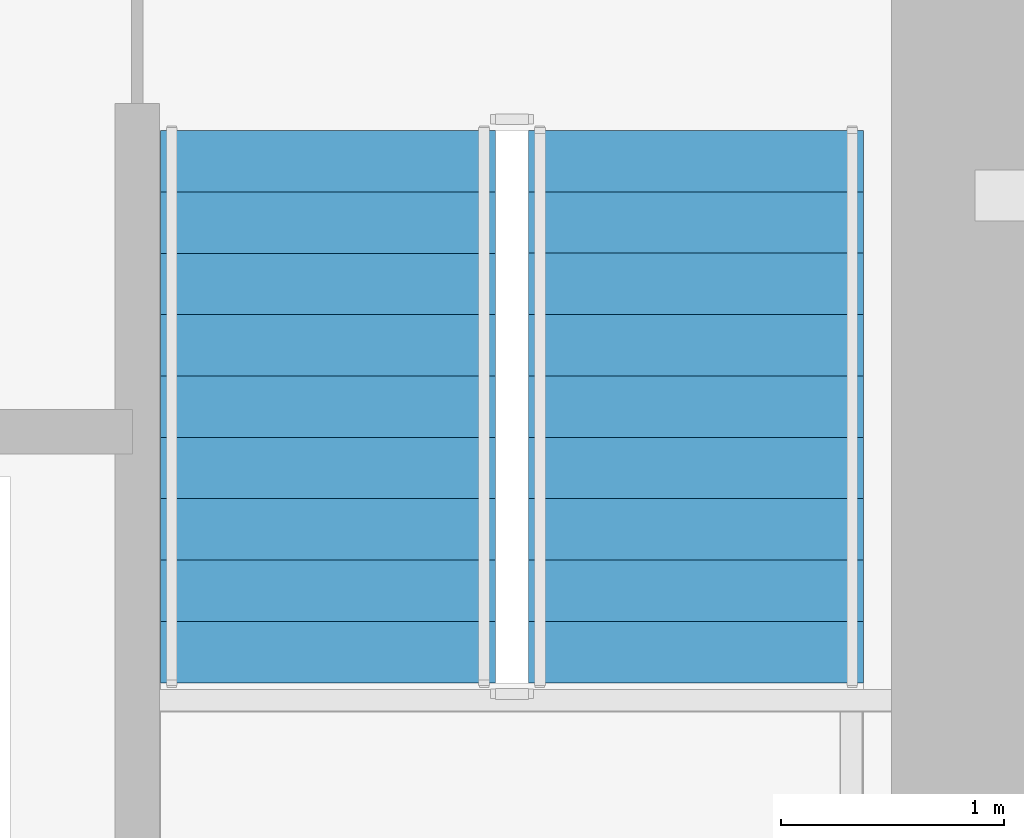
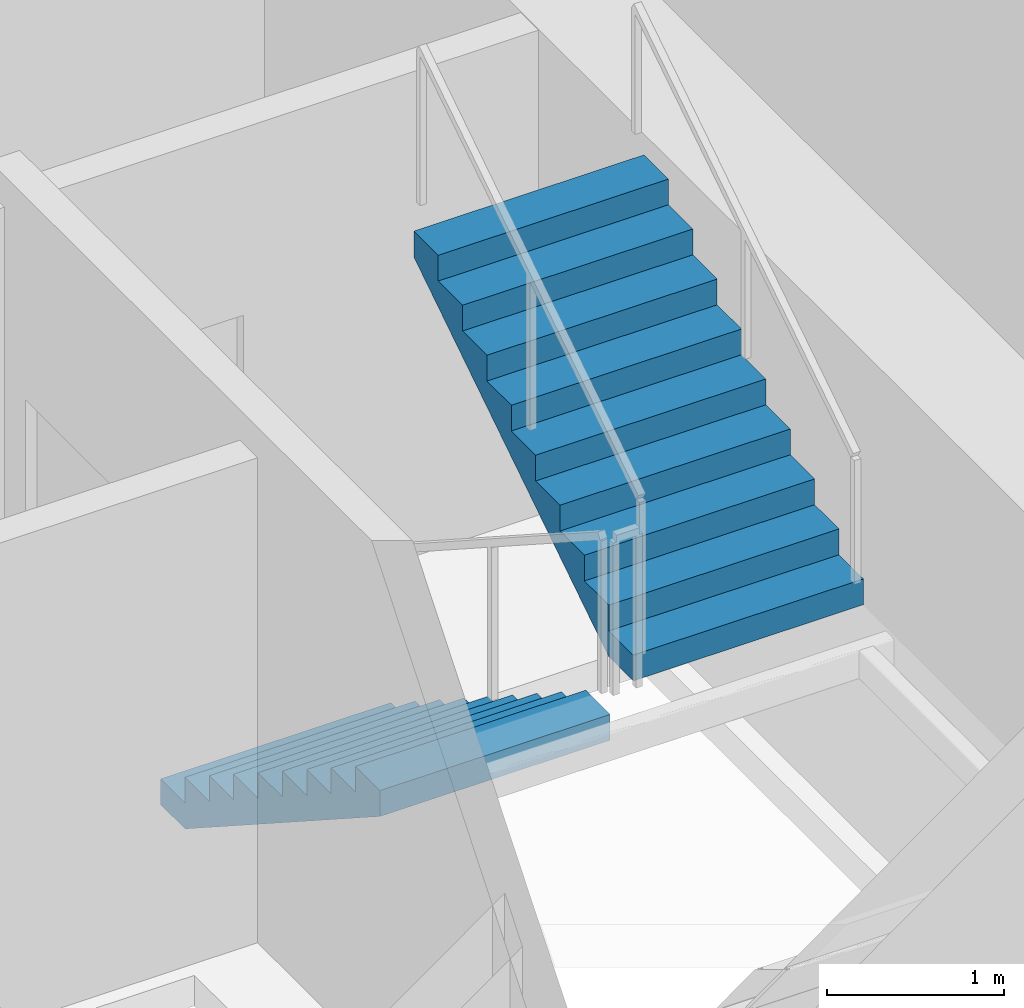
# One storey, part 8 of 10: 2 stair flights, 1 element without a shape of its own.
"""IFC4 building model written with IfcOpenShell, lengths in metres."""

from ifc_helpers import new_model, si_unit, direction, frame, origin, place, context, subcontext, project, spatial, polyline, outline, extrude, material, type_object, element, aggregate, save


model = new_model("IFC4")

# Units and contexts
model_context = context("Model", 3, precision=1e-05, world=origin(), true_north=direction((0.0, 1.0)))
body_context = subcontext(model_context, "Body", "Model", "MODEL_VIEW")
ifc_project = project(units=[si_unit("LENGTHUNIT", "METRE"), si_unit("AREAUNIT", "SQUARE_METRE"), si_unit("VOLUMEUNIT", "CUBIC_METRE"), si_unit("PLANEANGLEUNIT", "RADIAN"), si_unit("MASSUNIT", "GRAM", prefix="KILO")], contexts=[model_context])

# Site, building, storey
site_placement = place(None, origin())
site = spatial("IfcSite", under=ifc_project, at=site_placement, CompositionType="ELEMENT")
building_placement = place(site_placement, origin())
building = spatial("IfcBuilding", under=site, at=building_placement, Name="Cinnabar Lancet Tower", CompositionType="ELEMENT")
storey_placement = place(building_placement, frame((0.0, 0.0, 119.699951171875)))
storey = spatial("IfcBuildingStorey", under=building, at=storey_placement, Name="L31", CompositionType="ELEMENT", Elevation=119.699951171875)

# Stair, stair flights
ifc_material_1 = material(Name="Concrete C40/50", Category="concrete")
stair_type = type_object("IfcStairType", Name="ST-CORE", PredefinedType="HALF_TURN_STAIR", material=ifc_material_1)
stair_placement = place(storey_placement, origin())
stair = element("IfcStair", 1, at=stair_placement, inside=storey, type_object=stair_type, Name="L31 ST-2", PredefinedType="HALF_TURN_STAIR")
ifc_material_2 = material(Name="Concrete C40/50", Category="concrete")
stair_flight_type = type_object("IfcStairFlightType", Name="FLIGHT-CORE", PredefinedType="STRAIGHT", material=ifc_material_2)
stair_flight_1_placement = place(storey_placement, frame((38.875, 28.39990234375, 0.0), z_axis=(0.0, 0.0, 1.0), x_axis=(0.0, -1.0, 0.0)))
stair_flight_1 = element("IfcStairFlight", 2, at=stair_flight_1_placement, type_object=stair_flight_type, Name="ST-2 flight 1", NumberOfRisers=10, NumberOfTreads=9, PredefinedType="STRAIGHT", RiserHeight=0.1775, TreadLength=0.275, context=body_context, shape_type="SweptSolid", body=[
    extrude(outline(polyline([(0.0, 0.0), (0.0, 0.177490234375), (0.27490234375, 0.177490234375), (0.27490234375, 0.35498046875), (0.550048828125, 0.35498046875), (0.550048828125, 0.532470703125), (0.824951171875, 0.532470703125), (0.824951171875, 0.7099609375), (1.10009765625, 0.7099609375), (1.10009765625, 0.887451171875), (1.375, 0.887451171875), (1.375, 1.06494140625), (1.64990234375, 1.06494140625), (1.64990234375, 1.242431640625), (1.925048828125, 1.242431640625), (1.925048828125, 1.419921875), (2.199951171875, 1.419921875), (2.199951171875, 1.597412109375), (2.47509765625, 1.597412109375), (2.47509765625, 1.77490234375), (2.47509765625, 1.419189453125), (0.2763671875, 0.0), (0.0, 0.0)])), frame((0.0, 0.75, 0.0), z_axis=(0.0, -1.0, 0.0), x_axis=(1.0, 0.0, 0.0)), (0.0, 0.0, 1.0), 1.5),
])
stair_flight_2_placement = place(storey_placement, frame((40.52490234375, 25.925048828125, 1.775146484375), z_axis=(0.0, 0.0, 1.0), x_axis=(0.0, 1.0, 0.0)))
stair_flight_2 = element("IfcStairFlight", 3, at=stair_flight_2_placement, type_object=stair_flight_type, Name="ST-2 flight 2", NumberOfRisers=10, NumberOfTreads=9, PredefinedType="STRAIGHT", RiserHeight=0.1775, TreadLength=0.275, context=body_context, shape_type="SweptSolid", body=[
    extrude(outline(polyline([(0.0, 0.0), (0.0, 0.177490234375), (0.27490234375, 0.177490234375), (0.27490234375, 0.35498046875), (0.550048828125, 0.35498046875), (0.550048828125, 0.532470703125), (0.824951171875, 0.532470703125), (0.824951171875, 0.7099609375), (1.10009765625, 0.7099609375), (1.10009765625, 0.887451171875), (1.375, 0.887451171875), (1.375, 1.06494140625), (1.64990234375, 1.06494140625), (1.64990234375, 1.242431640625), (1.925048828125, 1.242431640625), (1.925048828125, 1.419921875), (2.199951171875, 1.419921875), (2.199951171875, 1.597412109375), (2.47509765625, 1.597412109375), (2.47509765625, 1.77490234375), (2.47509765625, 1.419189453125), (0.2763671875, 0.0), (0.0, 0.0)])), frame((0.0, 0.75, 0.0), z_axis=(0.0, -1.0, 0.0), x_axis=(1.0, 0.0, 0.0)), (0.0, 0.0, 1.0), 1.5),
])
aggregate(stair, [stair_flight_1, stair_flight_2])

save(model, "model.ifc")
